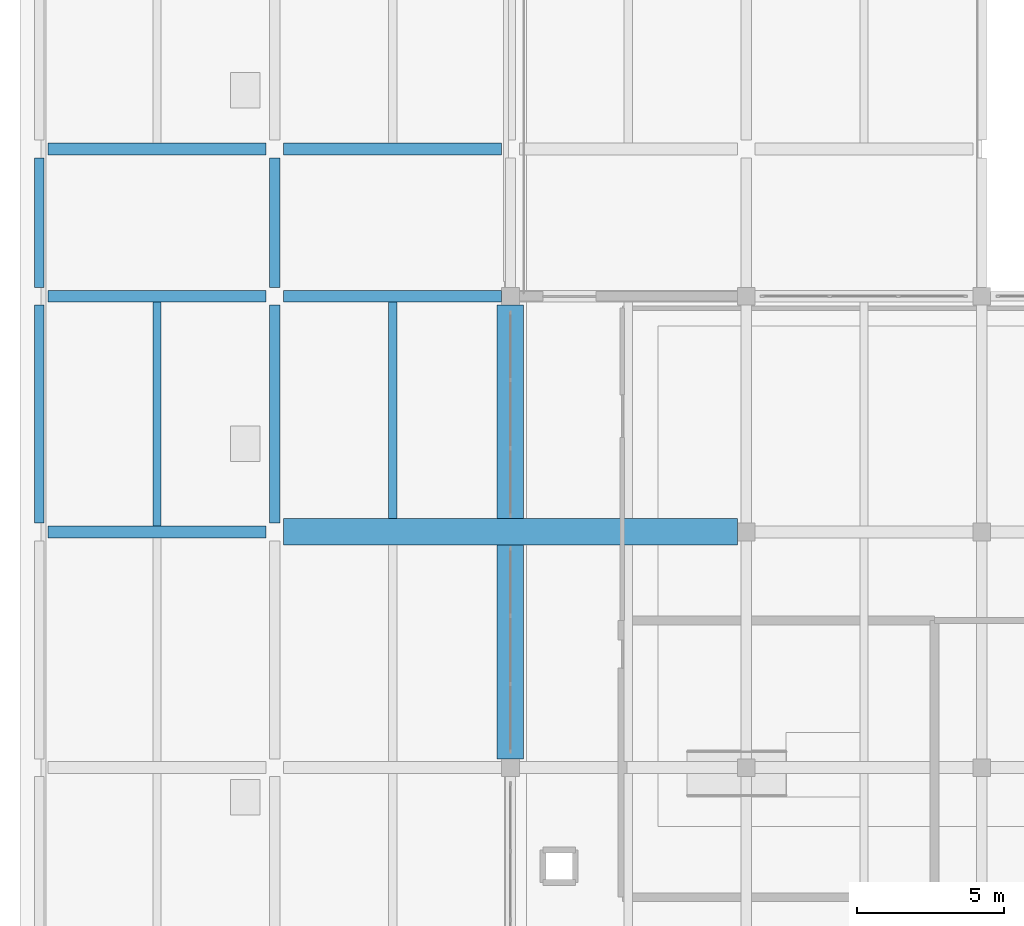
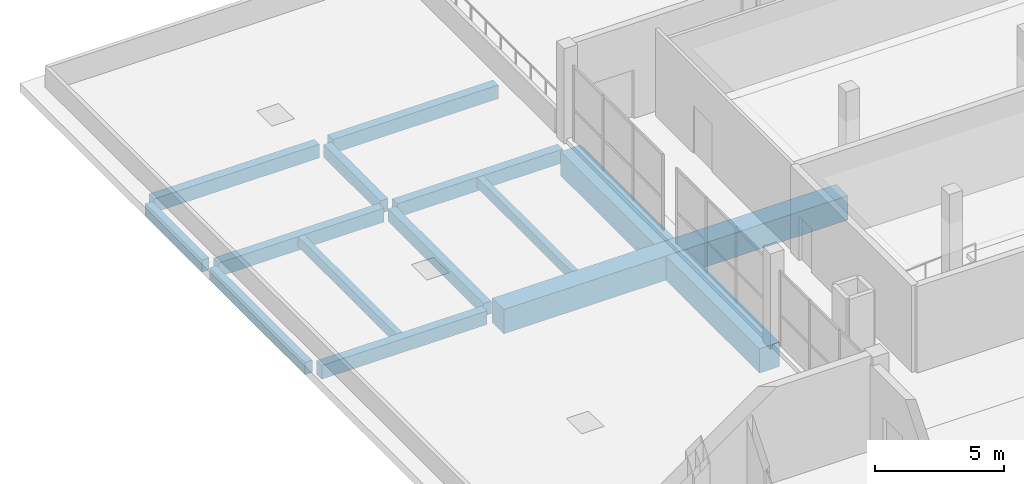
# One storey, part 4 of 14: 13 beams.
"""IFC4 building model written with IfcOpenShell, lengths in metres."""

from ifc_helpers import new_model, si_unit, direction, frame, origin, origin_2d, place, context, subcontext, project, spatial, rectangle, extrude, material, material_profile, profile_set, type_object, element, save


model = new_model("IFC4")

# Units and contexts
model_context = context("Model", 3, precision=1e-05, world=origin(), true_north=direction((0.0, 1.0)))
body_context = subcontext(model_context, "Body", "Model", "MODEL_VIEW")
ifc_project = project(units=[si_unit("LENGTHUNIT", "METRE"), si_unit("AREAUNIT", "SQUARE_METRE"), si_unit("VOLUMEUNIT", "CUBIC_METRE"), si_unit("PLANEANGLEUNIT", "RADIAN"), si_unit("MASSUNIT", "GRAM", prefix="KILO")], contexts=[model_context])

# Site, building, storey
site_placement = place(None, origin())
site = spatial("IfcSite", under=ifc_project, at=site_placement, CompositionType="ELEMENT")
building_placement = place(site_placement, origin())
building = spatial("IfcBuilding", under=site, at=building_placement, Name="Qorikala Patio Media Centre", CompositionType="ELEMENT")
storey_placement = place(building_placement, frame((0.0, 0.0, 23.39990234375)))
storey = spatial("IfcBuildingStorey", under=building, at=storey_placement, Name="L05", CompositionType="ELEMENT", Elevation=23.39990234375)

# Beams
ifc_material = material(Name="Concrete C35/45", Category="concrete")
ifc_material_profile_1 = material_profile(ifc_material, rectangle(XDim=0.35009765625, YDim=0.60009765625, at=origin_2d()), Name="RC 350x600")
ifc_profile_set_1 = profile_set([ifc_material_profile_1], Name="Concrete C35/45")
beam_type_1 = type_object("IfcBeamType", Name="BM-G350X600", PredefinedType="BEAM", material=ifc_profile_set_1)
beam_1_placement = place(storey_placement, frame((11.0, 51.300048828125, -0.599853515625), z_axis=(0.0, 1.0, 0.0), x_axis=(-1.0, 0.0, 0.0)))
element("IfcBeam", 1, at=beam_1_placement, inside=storey, type_object=beam_type_1, Name="L05 Grid X=11 Beam 1572", PredefinedType="BEAM", context=body_context, shape_type="SweptSolid", body=[
    extrude(rectangle(XDim=0.35009765625, YDim=0.60009765625, at=origin_2d()), origin(), (0.0, 0.0, 1.0), 7.39990234375),
])
beam_2_placement = place(storey_placement, frame((11.0, 59.300048828125, -0.599853515625), z_axis=(0.0, 1.0, 0.0), x_axis=(-1.0, 0.0, 0.0)))
element("IfcBeam", 2, at=beam_2_placement, inside=storey, type_object=beam_type_1, Name="L05 Grid X=11 Beam 1573", PredefinedType="BEAM", context=body_context, shape_type="SweptSolid", body=[
    extrude(rectangle(XDim=0.35009765625, YDim=0.60009765625, at=origin_2d()), origin(), (0.0, 0.0, 1.0), 4.39990234375),
])
ifc_material_profile_2 = material_profile(ifc_material, rectangle(XDim=0.39990234375, YDim=0.64990234375, at=origin_2d()), Name="RC 400x650")
ifc_profile_set_2 = profile_set([ifc_material_profile_2], Name="Concrete C35/45")
beam_type_2 = type_object("IfcBeamType", Name="BM-G400X650", PredefinedType="BEAM", material=ifc_profile_set_2)
for number, where, z_axis, x_axis, name in (
    (3, (3.300048828125, 51.0, -0.625), (1.0, 0.0, 0.0), (0.0, 1.0, 0.0), "L05 Grid 51 Beam 1541"),
    (4, (3.300048828125, 59.0, -0.625), (1.0, 0.0, 0.0), (0.0, 1.0, 0.0), "L05 Grid 59 Beam 1545"),
    (5, (11.300048828125, 59.0, -0.625), (1.0, 0.0, 0.0), (0.0, 1.0, 0.0), "L05 Grid 59 Beam 1546"),
    (6, (3.300048828125, 64.0, -0.625), (1.0, 0.0, 0.0), (0.0, 1.0, 0.0), "L05 Grid 64 Beam 1550"),
    (7, (11.300048828125, 64.0, -0.625), (1.0, 0.0, 0.0), (0.0, 1.0, 0.0), "L05 Grid 64 Beam 1551"),
):
    element("IfcBeam", number, at=place(storey_placement, frame(where, z_axis=z_axis, x_axis=x_axis)), inside=storey, type_object=beam_type_2, Name=name, PredefinedType="BEAM", context=body_context, shape_type="SweptSolid", body=[
        extrude(rectangle(XDim=0.39990234375, YDim=0.64990234375, at=origin_2d()), origin(), (0.0, 0.0, 1.0), 7.39990234375),
    ])
ifc_material_profile_3 = material_profile(ifc_material, rectangle(XDim=0.89990234375, YDim=1.14990234375, at=origin_2d()), Name="RC 900x1150")
ifc_profile_set_3 = profile_set([ifc_material_profile_3], Name="Concrete C35/45")
beam_type_3 = type_object("IfcBeamType", Name="BM-TR900X1150", PredefinedType="BEAM", material=ifc_profile_set_3)
for number, where, z_axis, x_axis, name in (
    (8, (11.300048828125, 51.0, -0.875), (1.0, 0.0, 0.0), (0.0, 1.0, 0.0), "L05 Grid 51 Beam 1542"),
    (9, (19.0, 43.300048828125, -0.875), (0.0, 1.0, 0.0), (-1.0, 0.0, 0.0), "L05 Grid X=19 Transfer Girder 1579"),
):
    element("IfcBeam", number, at=place(storey_placement, frame(where, z_axis=z_axis, x_axis=x_axis)), inside=storey, type_object=beam_type_3, Name=name, PredefinedType="BEAM", context=body_context, shape_type="SweptSolid", body=[
        extrude(rectangle(XDim=0.89990234375, YDim=1.14990234375, at=origin_2d()), origin(), (0.0, 0.0, 1.0), 15.39990234375),
    ])
ifc_material_profile_4 = material_profile(ifc_material, rectangle(XDim=0.280029296875, YDim=0.47998046875, at=origin_2d()), Name="RC 280x480")
ifc_profile_set_4 = profile_set([ifc_material_profile_4], Name="Concrete C35/45")
beam_type_4 = type_object("IfcBeamType", Name="JS-280X480", PredefinedType="JOIST", material=ifc_profile_set_4)
beam_3_placement = place(storey_placement, frame((7.0, 51.199951171875, -0.539794921875), z_axis=(0.0, 1.0, 0.0), x_axis=(-1.0, 0.0, 0.0)))
element("IfcBeam", 10, at=beam_3_placement, inside=storey, type_object=beam_type_4, Name="L05 Secondary Joist 1628", PredefinedType="JOIST", context=body_context, shape_type="SweptSolid", body=[
    extrude(rectangle(XDim=0.280029296875, YDim=0.47998046875, at=origin_2d()), origin(), (0.0, 0.0, 1.0), 7.60009765625),
])
beam_4_placement = place(storey_placement, frame((15.0, 51.449951171875, -0.539794921875), z_axis=(0.0, 1.0, 0.0), x_axis=(-1.0, 0.0, 0.0)))
element("IfcBeam", 11, at=beam_4_placement, inside=storey, type_object=beam_type_4, Name="L05 Secondary Joist 1635", PredefinedType="JOIST", context=body_context, shape_type="SweptSolid", body=[
    extrude(rectangle(XDim=0.280029296875, YDim=0.47998046875, at=origin_2d()), origin(), (0.0, 0.0, 1.0), 7.35009765625),
])
ifc_material_profile_5 = material_profile(ifc_material, rectangle(XDim=0.320068359375, YDim=0.580078125, at=origin_2d()), Name="RC 320x580")
ifc_profile_set_5 = profile_set([ifc_material_profile_5], Name="Concrete C35/45")
beam_type_5 = type_object("IfcBeamType", Name="SP-320X580", PredefinedType="SPANDREL", material=ifc_profile_set_5)
beam_5_placement = place(storey_placement, frame((3.0, 51.300048828125, -0.58984375), z_axis=(0.0, 1.0, 0.0), x_axis=(-1.0, 0.0, 0.0)))
element("IfcBeam", 12, at=beam_5_placement, inside=storey, type_object=beam_type_5, Name="L05 Grid X=3 Beam 1564", PredefinedType="SPANDREL", context=body_context, shape_type="SweptSolid", body=[
    extrude(rectangle(XDim=0.320068359375, YDim=0.580078125, at=origin_2d()), origin(), (0.0, 0.0, 1.0), 7.39990234375),
])
beam_6_placement = place(storey_placement, frame((3.0, 59.300048828125, -0.58984375), z_axis=(0.0, 1.0, 0.0), x_axis=(-1.0, 0.0, 0.0)))
element("IfcBeam", 13, at=beam_6_placement, inside=storey, type_object=beam_type_5, Name="L05 Grid X=3 Beam 1565", PredefinedType="SPANDREL", context=body_context, shape_type="SweptSolid", body=[
    extrude(rectangle(XDim=0.320068359375, YDim=0.580078125, at=origin_2d()), origin(), (0.0, 0.0, 1.0), 4.39990234375),
])

save(model, "model.ifc")
